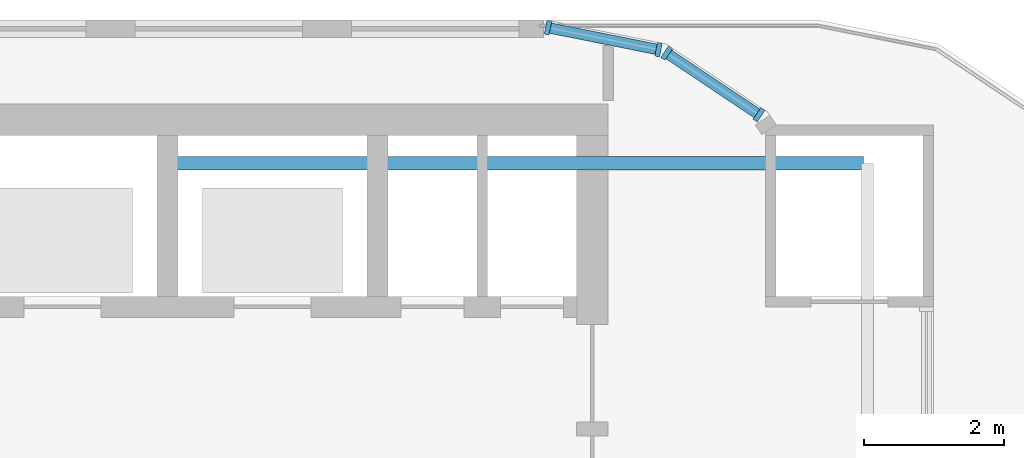
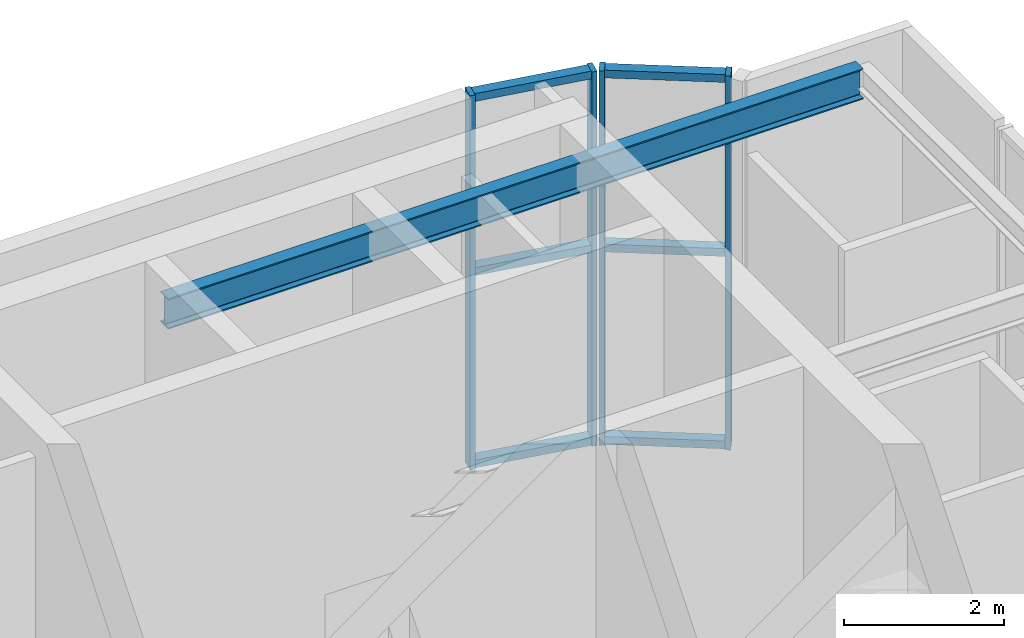
# One storey, part 8 of 21: 10 members, 1 beam, 2 elements without a shape of their own.
"""IFC4 building model written with IfcOpenShell, lengths in metres."""

from ifc_helpers import new_model, si_unit, direction, frame, origin, origin_2d, place, context, subcontext, project, spatial, rectangle, i_section, extrude, material, layer, layer_set, material_profile, profile_set, type_object, element, aggregate, save


model = new_model("IFC4")

# Units and contexts
model_context = context("Model", 3, precision=1e-05, world=origin(), true_north=direction((0.0, 1.0)))
body_context = subcontext(model_context, "Body", "Model", "MODEL_VIEW")
ifc_project = project(units=[si_unit("LENGTHUNIT", "METRE"), si_unit("AREAUNIT", "SQUARE_METRE"), si_unit("VOLUMEUNIT", "CUBIC_METRE"), si_unit("PLANEANGLEUNIT", "RADIAN"), si_unit("MASSUNIT", "GRAM", prefix="KILO")], contexts=[model_context])

# Site, building, storey
site_placement = place(None, origin())
site = spatial("IfcSite", under=ifc_project, at=site_placement, CompositionType="ELEMENT")
building_placement = place(site_placement, origin())
building = spatial("IfcBuilding", under=site, at=building_placement, Name="Torana Hotel and Residences", CompositionType="ELEMENT")
storey_placement = place(building_placement, frame((0.0, 0.0, 246.60009765625)))
storey = spatial("IfcBuildingStorey", under=building, at=storey_placement, Name="L65", CompositionType="ELEMENT", Elevation=246.60009765625)

# Beam
ifc_material_1 = material(Name="Steel S355", Category="steel")
ifc_material_profile_1 = material_profile(ifc_material_1, i_section(OverallWidth=0.19287109375, OverallDepth=0.46728515625, WebThickness=0.011474609375, FlangeThickness=0.01953125, FilletRadius=0.01025390625, at=origin_2d()), Name="457x191x98 UB")
ifc_profile_set_1 = profile_set([ifc_material_profile_1], Name="Steel S355")
beam_type = type_object("IfcBeamType", Name="BALCONY CANTILEVER BEAM 457x191x98 UB", PredefinedType="BEAM", material=ifc_profile_set_1)
beam_placement = place(storey_placement, frame((23.1484375, -0.85009765625, 5.486328125), z_axis=(-1.0, 0.0, 0.0), x_axis=(0.0, -1.0, 0.0)))
element("IfcBeam", 1, at=beam_placement, inside=storey, type_object=beam_type, Name="Balcony cantilever beam", PredefinedType="BEAM", context=body_context, shape_type="SweptSolid", body=[
    extrude(i_section(OverallWidth=0.19287109375, OverallDepth=0.46728515625, WebThickness=0.011474609375, FlangeThickness=0.01953125, FilletRadius=0.01025390625, at=origin_2d()), origin(), (0.0, 0.0, 1.0), 10.04833984375),
])

# Curtain wall, members
ifc_material_2 = material(Name="Dark anodised aluminium", Category="aluminium")
ifc_layer = layer(ifc_material_2, 0.199951171875)
ifc_layer_set = layer_set([ifc_layer], Name="CW2 SKY LOBBY UNITISED CURTAIN WALL")
curtain_wall_type = type_object("IfcCurtainWallType", Name="CW2 SKY LOBBY UNITISED CURTAIN WALL", PredefinedType="NOTDEFINED", material=ifc_layer_set)
curtain_wall_1_placement = place(storey_placement, origin())
curtain_wall_1 = element("IfcCurtainWall", 2, at=curtain_wall_1_placement, inside=storey, type_object=curtain_wall_type, Name="Curtain wall CW2 L65 e0.19-1", PredefinedType="NOTDEFINED")
ifc_material_3 = material(Name="Dark anodised aluminium", Category="aluminium")
ifc_material_profile_2 = material_profile(ifc_material_3, rectangle(XDim=0.199951171875, YDim=0.070068359375, at=origin_2d()), Name="CW2 MULLION 70x200")
ifc_profile_set_2 = profile_set([ifc_material_profile_2], Name="Dark anodised aluminium")
member_type_1 = type_object("IfcMemberType", Name="CW2 MULLION 70x200", PredefinedType="MULLION", material=ifc_profile_set_2)
member_1_placement = place(storey_placement, frame((21.656005859375, -0.154052734375, 0.0), z_axis=(0.0, 0.0, 1.0), x_axis=(-0.555563713278, -0.831473968618, 0.0)))
member_1 = element("IfcMember", 3, at=member_1_placement, type_object=member_type_1, Name="CW2 mullion 1", PredefinedType="MULLION", context=body_context, shape_type="SweptSolid", body=[
    extrude(rectangle(XDim=0.199951171875, YDim=0.070068359375, at=origin_2d()), origin(), (0.0, 0.0, 1.0), 5.719970703125),
])
member_2_placement = place(storey_placement, frame((20.3369140625, 0.727294921875, 0.0), z_axis=(0.0, 0.0, 1.0), x_axis=(-0.555563713278, -0.831473968618, 0.0)))
member_2 = element("IfcMember", 4, at=member_2_placement, type_object=member_type_1, Name="CW2 mullion 2", PredefinedType="MULLION", context=body_context, shape_type="SweptSolid", body=[
    extrude(rectangle(XDim=0.199951171875, YDim=0.070068359375, at=origin_2d()), origin(), (0.0, 0.0, 1.0), 5.719970703125),
])

curtain_wall_2_placement = place(storey_placement, origin())
curtain_wall_2 = element("IfcCurtainWall", 5, at=curtain_wall_2_placement, inside=storey, type_object=curtain_wall_type, Name="Curtain wall CW2 L65 e0.20-1", PredefinedType="NOTDEFINED")
member_3_placement = place(storey_placement, frame((20.219482421875, 0.77587890625, 0.0), z_axis=(0.0, 0.0, 1.0), x_axis=(-0.195063848566, -0.980790545928, 0.0)))
member_3 = element("IfcMember", 6, at=member_3_placement, type_object=member_type_1, Name="CW2 mullion 1", PredefinedType="MULLION", context=body_context, shape_type="SweptSolid", body=[
    extrude(rectangle(XDim=0.199951171875, YDim=0.070068359375, at=origin_2d()), origin(), (0.0, 0.0, 1.0), 5.719970703125),
])
member_4_placement = place(storey_placement, frame((18.638916015625, 1.09033203125, 0.0), z_axis=(0.0, 0.0, 1.0), x_axis=(-0.195063848566, -0.980790545928, 0.0)))
member_4 = element("IfcMember", 7, at=member_4_placement, type_object=member_type_1, Name="CW2 mullion 2", PredefinedType="MULLION", context=body_context, shape_type="SweptSolid", body=[
    extrude(rectangle(XDim=0.199951171875, YDim=0.070068359375, at=origin_2d()), origin(), (0.0, 0.0, 1.0), 5.719970703125),
])

# Member
ifc_material_4 = material(Name="Dark anodised aluminium", Category="aluminium")
ifc_material_profile_3 = material_profile(ifc_material_4, rectangle(XDim=0.14990234375, YDim=0.1201171875, at=origin_2d()), Name="CW2 TRANSOM 150x120")
ifc_profile_set_3 = profile_set([ifc_material_profile_3], Name="Dark anodised aluminium")
member_type_2 = type_object("IfcMemberType", Name="CW2 TRANSOM 150x120", PredefinedType="USERDEFINED", material=ifc_profile_set_3)
member_5_placement = place(storey_placement, frame((21.626953125, -0.134521484375, 0.059814453125), z_axis=(-0.83150490354, 0.555517412319, 0.0), x_axis=(-0.555517412319, -0.83150490354, 0.0)))
member_5 = element("IfcMember", 8, at=member_5_placement, type_object=member_type_2, Name="CW2 transom 1.1", ObjectType="TRANSOM", PredefinedType="USERDEFINED", context=body_context, shape_type="SweptSolid", body=[
    extrude(rectangle(XDim=0.14990234375, YDim=0.1201171875, at=origin_2d()), origin(), (0.0, 0.0, 1.0), 1.51611328125),
])

member_6_placement = place(storey_placement, frame((21.626953125, -0.134521484375, 3.0), z_axis=(-0.83150490354, 0.555517412319, 0.0), x_axis=(-0.555517412319, -0.83150490354, 0.0)))
member_6 = element("IfcMember", 9, at=member_6_placement, type_object=member_type_2, Name="CW2 transom 1.2", ObjectType="TRANSOM", PredefinedType="USERDEFINED", context=body_context, shape_type="SweptSolid", body=[
    extrude(rectangle(XDim=0.14990234375, YDim=0.1201171875, at=origin_2d()), origin(), (0.0, 0.0, 1.0), 1.51611328125),
])

member_7_placement = place(storey_placement, frame((21.626953125, -0.134521484375, 5.659912109375), z_axis=(-0.83150490354, 0.555517412319, 0.0), x_axis=(-0.555517412319, -0.83150490354, 0.0)))
member_7 = element("IfcMember", 10, at=member_7_placement, type_object=member_type_2, Name="CW2 transom 1.3", ObjectType="TRANSOM", PredefinedType="USERDEFINED", context=body_context, shape_type="SweptSolid", body=[
    extrude(rectangle(XDim=0.14990234375, YDim=0.1201171875, at=origin_2d()), origin(), (0.0, 0.0, 1.0), 1.51611328125),
])

aggregate(curtain_wall_1, [member_1, member_2, member_5, member_6, member_7])

member_8_placement = place(storey_placement, frame((20.18505859375, 0.78271484375, 0.059814453125), z_axis=(-0.980775137592, 0.195141306446, 0.0), x_axis=(-0.195141306446, -0.980775137592, 0.0)))
member_8 = element("IfcMember", 11, at=member_8_placement, type_object=member_type_2, Name="CW2 transom 1.1", ObjectType="TRANSOM", PredefinedType="USERDEFINED", context=body_context, shape_type="SweptSolid", body=[
    extrude(rectangle(XDim=0.14990234375, YDim=0.1201171875, at=origin_2d()), origin(), (0.0, 0.0, 1.0), 1.541259765625),
])

member_9_placement = place(storey_placement, frame((20.18505859375, 0.78271484375, 3.0), z_axis=(-0.980775137592, 0.195141306446, 0.0), x_axis=(-0.195141306446, -0.980775137592, 0.0)))
member_9 = element("IfcMember", 12, at=member_9_placement, type_object=member_type_2, Name="CW2 transom 1.2", ObjectType="TRANSOM", PredefinedType="USERDEFINED", context=body_context, shape_type="SweptSolid", body=[
    extrude(rectangle(XDim=0.14990234375, YDim=0.1201171875, at=origin_2d()), origin(), (0.0, 0.0, 1.0), 1.541259765625),
])

member_10_placement = place(storey_placement, frame((20.18505859375, 0.78271484375, 5.659912109375), z_axis=(-0.980775137592, 0.195141306446, 0.0), x_axis=(-0.195141306446, -0.980775137592, 0.0)))
member_10 = element("IfcMember", 13, at=member_10_placement, type_object=member_type_2, Name="CW2 transom 1.3", ObjectType="TRANSOM", PredefinedType="USERDEFINED", context=body_context, shape_type="SweptSolid", body=[
    extrude(rectangle(XDim=0.14990234375, YDim=0.1201171875, at=origin_2d()), origin(), (0.0, 0.0, 1.0), 1.541259765625),
])

aggregate(curtain_wall_2, [member_3, member_4, member_8, member_9, member_10])

save(model, "model.ifc")
